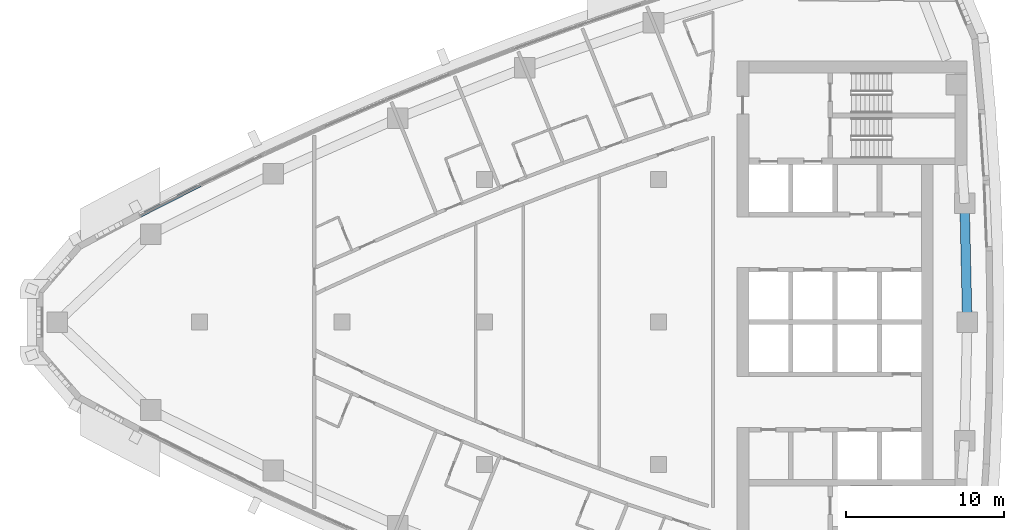
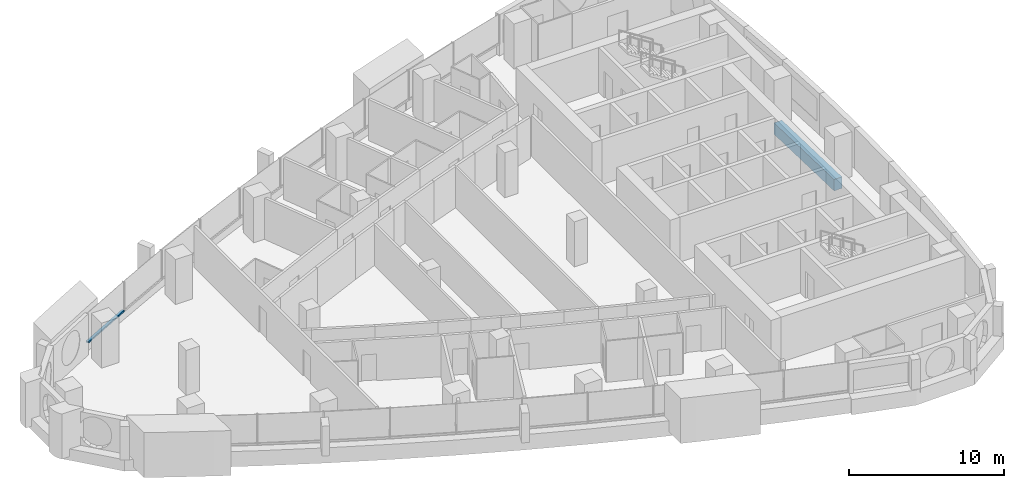
# One storey, part 5 of 17: 1 beam, 1 member, 1 element without a shape of its own.
"""IFC4 building model written with IfcOpenShell, lengths in metres."""

import ifcopenshell
import ifcopenshell.guid

model = None  # the IFC model being written
_history = None  # IfcOwnerHistory: only IFC2X3 demands one
_inside = {}  # id of a spatial element -> (the spatial element, [elements in it])
_under = {}  # id of a project, library or spatial element -> (it, [spatial elements below it])
_declared = {}  # id of a project -> (the project, [libraries it declares])
_typed = {}  # id of a type object -> (the type object, [elements of that type])
_made_of = {}  # id of a material, layer set ... -> (it, [elements and type objects made of it])


def new_model(schema):
    """Start an empty IFC model of exactly this schema.

    Asked for "IFC4X3", IfcOpenShell would pick the latest addendum, in which some entities
    have other attributes; the version numbers below select the first issue.
    IFC2X3 requires an IfcOwnerHistory on every rooted entity: one is made here for all.
    """
    global model, _history
    if schema == "IFC4X3":
        model = ifcopenshell.file(schema_version=(4, 3, 0, 0))
    else:
        model = ifcopenshell.file(schema=schema)
    _inside.clear()
    _under.clear()
    _declared.clear()
    _typed.clear()
    _made_of.clear()
    _history = None
    if model.schema == "IFC2X3":
        org = make("IfcOrganization", Name="unknown")
        user = make(
            "IfcPersonAndOrganization",
            ThePerson=make("IfcPerson", FamilyName="unknown"),
            TheOrganization=org,
        )
        app = make(
            "IfcApplication",
            ApplicationDeveloper=org,
            Version="unknown",
            ApplicationFullName="unknown",
            ApplicationIdentifier="unknown",
        )
        _history = make(
            "IfcOwnerHistory",
            OwningUser=user,
            OwningApplication=app,
            ChangeAction="ADDED",
            CreationDate=0,
        )
    return model


def make(cls, **values):
    """One entity of the class cls with the attributes given. An attribute that is None is left unset."""
    return model.create_entity(
        cls, **{name: value for name, value in values.items() if value is not None}
    )


def rooted(cls, **values):
    """An entity with a GlobalId (a new one), such as an element, a storey or a relation."""
    return make(cls, GlobalId=ifcopenshell.guid.new(), OwnerHistory=_history, **values)


def si_unit(unit_type, name, prefix=None):
    """IfcSIUnit, for example si_unit("LENGTHUNIT", "METRE", prefix="MILLI")."""
    return make("IfcSIUnit", UnitType=unit_type, Prefix=prefix, Name=name)


def assignment(units):
    """IfcUnitAssignment: the units of a project."""
    return None if units is None else make("IfcUnitAssignment", Units=units)


def point(xyz):
    """IfcCartesianPoint."""
    return None if xyz is None else make("IfcCartesianPoint", Coordinates=xyz)


def direction(xyz):
    """IfcDirection."""
    return None if xyz is None else make("IfcDirection", DirectionRatios=xyz)


def frame(location, z_axis=None, x_axis=None):
    """IfcAxis2Placement3D, a coordinate frame: its origin and axes. An axis left out is left unset."""
    return make(
        "IfcAxis2Placement3D",
        Location=point(location),
        Axis=direction(z_axis),
        RefDirection=direction(x_axis),
    )


def frame_2d(location, x_axis=None):
    """IfcAxis2Placement2D, a coordinate frame in the plane: its origin and x axis."""
    return make(
        "IfcAxis2Placement2D", Location=point(location), RefDirection=direction(x_axis)
    )


def origin():
    """The frame at (0, 0, 0) with its axes left unset."""
    return frame((0.0, 0.0, 0.0))


def origin_2d():
    """The frame at (0, 0) in the plane with its x axis left unset."""
    return frame_2d((0.0, 0.0))


def place(relative_to, where):
    """IfcLocalPlacement: puts the frame where relative to a parent placement (None: the world)."""
    return make(
        "IfcLocalPlacement", PlacementRelTo=relative_to, RelativePlacement=where
    )


def context(
    kind, dimensions, precision=None, world=None, true_north=None, identifier=None
):
    """IfcGeometricRepresentationContext, for example the 3D "Model" context."""
    return make(
        "IfcGeometricRepresentationContext",
        ContextIdentifier=identifier,
        ContextType=kind,
        CoordinateSpaceDimension=dimensions,
        Precision=precision,
        WorldCoordinateSystem=world,
        TrueNorth=true_north,
    )


def subcontext(parent, identifier, kind, view, scale=None):
    """IfcGeometricRepresentationSubContext, for example "Body" below "Model"."""
    return make(
        "IfcGeometricRepresentationSubContext",
        ContextIdentifier=identifier,
        ContextType=kind,
        ParentContext=parent,
        TargetScale=scale,
        TargetView=view,
    )


def project(units=None, contexts=None):
    """IfcProject with its units and contexts."""
    return rooted(
        "IfcProject",
        Name="project",
        RepresentationContexts=contexts,
        UnitsInContext=assignment(units),
    )


def spatial(cls, under=None, at=None, **own):
    """A site, building, storey or space (cls), placed at a placement, below another one or the project."""
    s = rooted(cls, ObjectPlacement=at, **own)
    if under is not None:
        _under.setdefault(under.id(), (under, []))[1].append(s)
    return s


def profile(cls, at=None, kind="AREA", **sizes):
    """A parametric profile (cls). Its sizes go by their IFC names, for example OverallWidth=200.0."""
    return make(cls, ProfileType=kind, Position=at, **sizes)


def rectangle(**sizes):
    """IfcRectangleProfileDef."""
    return profile("IfcRectangleProfileDef", **sizes)


def extrude(swept, where, along, depth):
    """IfcExtrudedAreaSolid: the profile swept, set in the frame where, extruded along a direction by depth."""
    return make(
        "IfcExtrudedAreaSolid",
        SweptArea=swept,
        Position=where,
        ExtrudedDirection=direction(along),
        Depth=depth,
    )


def shape(context_of_items, identifier, shape_type, items):
    """IfcShapeRepresentation: the items that make up one representation, for example the "Body"."""
    return make(
        "IfcShapeRepresentation",
        ContextOfItems=context_of_items,
        RepresentationIdentifier=identifier,
        RepresentationType=shape_type,
        Items=items,
    )


def material(Name=None, Category=None):
    """IfcMaterial."""
    return make("IfcMaterial", Name=Name, Category=Category)


def layer(
    of_material, thickness, ventilated=None, Name=None, Category=None, Priority=None
):
    """IfcMaterialLayer: one layer of a wall or slab, of a material (None: an air gap)."""
    return make(
        "IfcMaterialLayer",
        Material=of_material,
        LayerThickness=thickness,
        IsVentilated=ventilated,
        Name=Name,
        Category=Category,
        Priority=Priority,
    )


def layer_set(layers, Name=None):
    """IfcMaterialLayerSet."""
    return make("IfcMaterialLayerSet", MaterialLayers=layers, LayerSetName=Name)


def material_profile(
    of_material, cross_section, Name=None, Category=None, Priority=None
):
    """IfcMaterialProfile: a cross section and its material."""
    return make(
        "IfcMaterialProfile",
        Name=Name,
        Material=of_material,
        Profile=cross_section,
        Priority=Priority,
        Category=Category,
    )


def profile_set(profiles, Name=None, composite=None):
    """IfcMaterialProfileSet."""
    return make(
        "IfcMaterialProfileSet",
        Name=Name,
        MaterialProfiles=profiles,
        CompositeProfile=composite,
    )


def made_of(thing, what):
    """Note that an element or type object is made of a material, layer set ...; save() writes the relation."""
    if what is not None:
        _made_of.setdefault(what.id(), (what, []))[1].append(thing)
    return thing


def type_object(cls, material=None, **own):
    """A type object (cls), such as IfcWallType, which elements share."""
    return made_of(rooted(cls, **own), material)


def element(
    cls,
    number,
    at=None,
    inside=None,
    cuts=None,
    type_object=None,
    material=None,
    context=None,
    identifier="Body",
    shape_type=None,
    held_by="IfcProductDefinitionShape",
    body=None,
    shapes=None,
    **own,
):
    """One element of the class cls, such as IfcWall. Its Tag is "e" and its number.

    at: its placement. inside: the storey or other place that contains it. cuts: it is an
    opening in that element (IfcRelVoidsElement). A single representation is given by context,
    identifier, shape_type and body (its items); several are given by shapes. held_by: the class
    of the entity that holds the representations. save() writes the other relations.
    """
    e = rooted(cls, Tag="e%d" % number, ObjectPlacement=at, **own)
    if body is not None:
        shapes = [shape(context, identifier, shape_type, body)]
    if shapes is not None:
        e.Representation = make(held_by, Representations=shapes)
    if inside is not None:
        _inside.setdefault(inside.id(), (inside, []))[1].append(e)
    if cuts is not None:
        rooted(
            "IfcRelVoidsElement", RelatingBuildingElement=cuts, RelatedOpeningElement=e
        )
    if type_object is not None:
        _typed.setdefault(type_object.id(), (type_object, []))[1].append(e)
    return made_of(e, material)


def aggregate(whole, parts):
    """IfcRelAggregates: a whole, such as a stair, and the parts it consists of."""
    return rooted("IfcRelAggregates", RelatingObject=whole, RelatedObjects=parts)


def save(model, path):
    """Write the relations noted so far, then the file.

    IfcRelAggregates (storeys below a building ...), IfcRelContainedInSpatialStructure (elements
    in a storey), IfcRelDefinesByType, IfcRelAssociatesMaterial and IfcRelDeclares: one each for
    every whole, place, type object, material and project.
    """
    for whole, parts in _under.values():
        aggregate(whole, parts)
    for where, things in _inside.values():
        rooted(
            "IfcRelContainedInSpatialStructure",
            RelatedElements=things,
            RelatingStructure=where,
        )
    for kind, things in _typed.values():
        rooted("IfcRelDefinesByType", RelatedObjects=things, RelatingType=kind)
    for what, things in _made_of.values():
        rooted("IfcRelAssociatesMaterial", RelatedObjects=things, RelatingMaterial=what)
    for by, libraries in _declared.values():
        rooted("IfcRelDeclares", RelatingContext=by, RelatedDefinitions=libraries)
    model.write(path)


model = new_model("IFC4")

# Units and contexts
model_context = context("Model", 3, precision=1e-05, world=origin(), true_north=direction((0.0, 1.0)))
body_context = subcontext(model_context, "Body", "Model", "MODEL_VIEW")
ifc_project = project(units=[si_unit("LENGTHUNIT", "METRE"), si_unit("AREAUNIT", "SQUARE_METRE"), si_unit("VOLUMEUNIT", "CUBIC_METRE"), si_unit("PLANEANGLEUNIT", "RADIAN"), si_unit("MASSUNIT", "GRAM", prefix="KILO")], contexts=[model_context])

# Site, building, storey
site_placement = place(None, origin())
site = spatial("IfcSite", under=ifc_project, at=site_placement, CompositionType="ELEMENT")
building_placement = place(site_placement, origin())
building = spatial("IfcBuilding", under=site, at=building_placement, Name="Ostrand Prow Hotel Tower", CompositionType="ELEMENT")
storey_placement = place(building_placement, frame((0.0, 0.0, 203.89990234375)))
storey = spatial("IfcBuildingStorey", under=building, at=storey_placement, Name="L51", CompositionType="ELEMENT", Elevation=203.89990234375)

# Beam
ifc_material_1 = material(Name="Concrete C60/75", Category="concrete")
ifc_material_profile_1 = material_profile(ifc_material_1, rectangle(XDim=0.60009765625, YDim=0.89990234375, at=origin_2d()), Name="RC 600x900")
ifc_profile_set_1 = profile_set([ifc_material_profile_1], Name="Concrete C60/75")
beam_type = type_object("IfcBeamType", Name="Edge beam 600x900 C60/75", PredefinedType="SPANDREL", material=ifc_profile_set_1)
beam_placement = place(storey_placement, frame((64.5, 0.0, -0.75), z_axis=(-0.022620118241, 0.999744132391, 0.0), x_axis=(-0.999744132391, -0.022620118241, 0.0)))
element("IfcBeam", 1, at=beam_placement, inside=storey, type_object=beam_type, Name="Edge beam B3-B4", PredefinedType="SPANDREL", context=body_context, shape_type="SweptSolid", body=[
    extrude(rectangle(XDim=0.60009765625, YDim=0.89990234375, at=origin_2d()), origin(), (0.0, 0.0, 1.0), 7.501220703125),
])

# Curtain wall, member
ifc_material_2 = material(Name="Insulated glass in bronze anodised frame", Category="glass")
ifc_layer = layer(ifc_material_2, 0.199951171875)
ifc_layer_set = layer_set([ifc_layer], Name="Insulated glass in bronze anodised frame")
curtain_wall_type = type_object("IfcCurtainWallType", Name="Strip curtain wall, fritted glass over bronze spandrel", PredefinedType="NOTDEFINED", material=ifc_layer_set)
curtain_wall_placement = place(storey_placement, origin())
curtain_wall = element("IfcCurtainWall", 2, at=curtain_wall_placement, inside=storey, type_object=curtain_wall_type, Name="CW1 run CWN5", PredefinedType="NOTDEFINED")
ifc_material_3 = material(Name="Bronze anodised aluminium", Category="aluminium")
ifc_material_profile_2 = material_profile(ifc_material_3, rectangle(XDim=0.199951171875, YDim=0.1201171875, at=origin_2d()), Name="Transom 120x200 bronze anodised aluminium")
ifc_profile_set_2 = profile_set([ifc_material_profile_2], Name="Bronze anodised aluminium")
member_type = type_object("IfcMemberType", Name="Transom 120x200 bronze anodised aluminium", PredefinedType="USERDEFINED", material=ifc_profile_set_2)
member_placement = place(storey_placement, frame((16.06787109375, 8.6474609375, 0.960205078125), z_axis=(-0.891672840777, -0.452680400526, 0.0), x_axis=(0.452680400526, -0.891672840777, 0.0)))
member = element("IfcMember", 3, at=member_placement, type_object=member_type, Name="CW1 transom 2.1", ObjectType="TRANSOM", PredefinedType="USERDEFINED", context=body_context, shape_type="SweptSolid", body=[
    extrude(rectangle(XDim=0.199951171875, YDim=0.1201171875, at=origin_2d()), origin(), (0.0, 0.0, 1.0), 4.2451171875),
])
aggregate(curtain_wall, [member])

save(model, "model.ifc")
